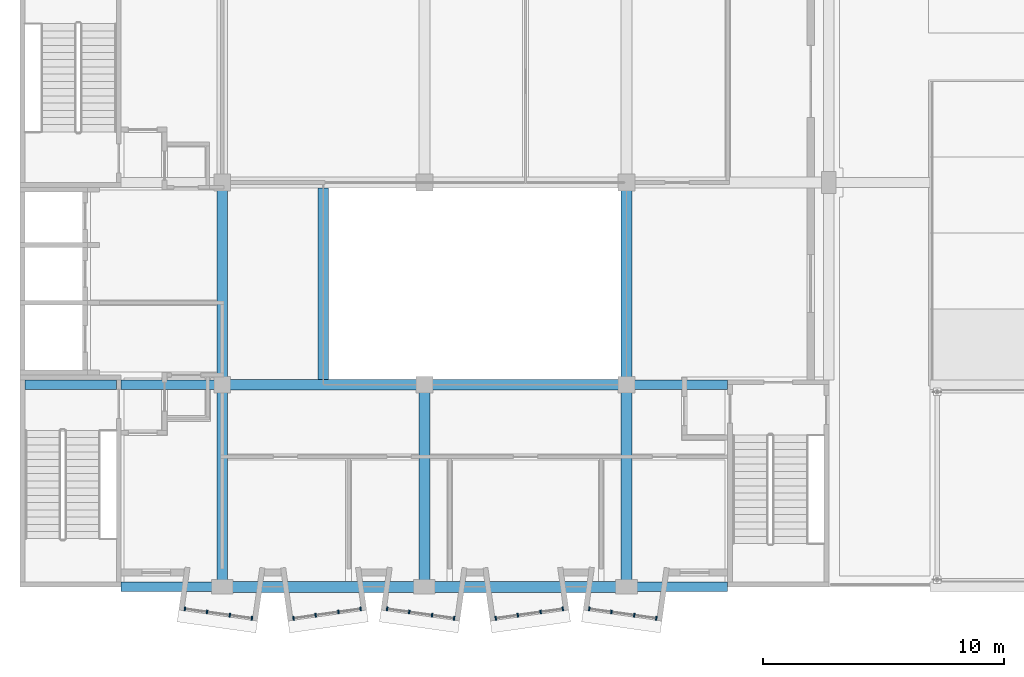
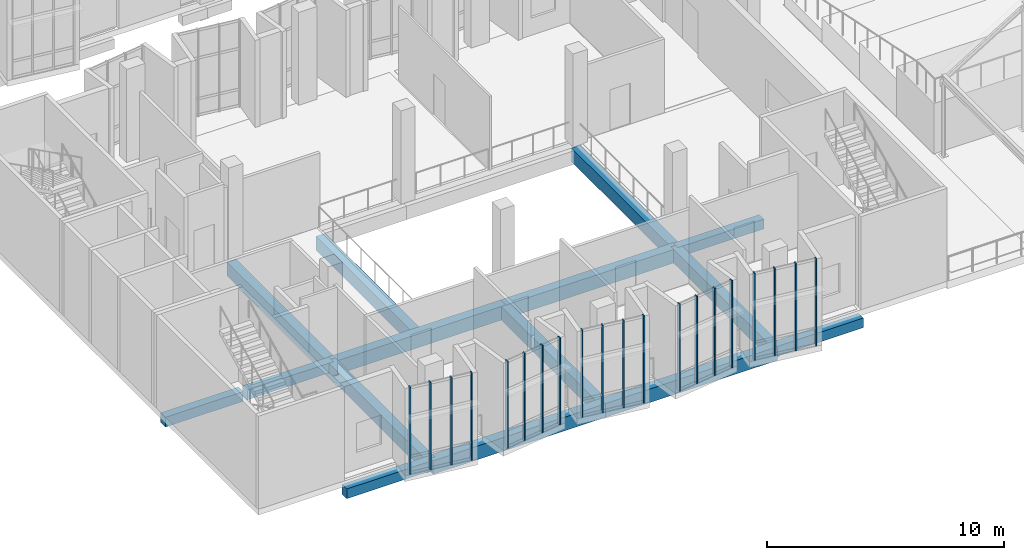
# One storey, part 3 of 67: 20 members, 15 beams, 5 elements without a shape of their own.
"""IFC4 building model written with IfcOpenShell, lengths in metres."""

from ifc_helpers import new_model, si_unit, direction, frame, origin, origin_2d, place, context, subcontext, project, spatial, rectangle, extrude, material, layer, layer_set, material_profile, profile_set, type_object, element, aggregate, save


model = new_model("IFC4")

# Units and contexts
model_context = context("Model", 3, precision=1e-05, world=origin(), true_north=direction((0.0, 1.0)))
body_context = subcontext(model_context, "Body", "Model", "MODEL_VIEW")
ifc_project = project(units=[si_unit("LENGTHUNIT", "METRE"), si_unit("AREAUNIT", "SQUARE_METRE"), si_unit("VOLUMEUNIT", "CUBIC_METRE"), si_unit("PLANEANGLEUNIT", "RADIAN"), si_unit("MASSUNIT", "GRAM", prefix="KILO")], contexts=[model_context])

# Site, building, storey
site_placement = place(None, origin())
site = spatial("IfcSite", under=ifc_project, at=site_placement, CompositionType="ELEMENT")
building_placement = place(site_placement, origin())
building = spatial("IfcBuilding", under=site, at=building_placement, Name="Kiln Court Media Centre", CompositionType="ELEMENT")
storey_placement = place(building_placement, frame((0.0, 0.0, 19.800048828125)))
storey = spatial("IfcBuildingStorey", under=building, at=storey_placement, Name="L04", CompositionType="ELEMENT", Elevation=19.800048828125)

# Curtain wall, members
ifc_material_1 = material(Name="Aluminium 6063-T6", Category="aluminium")
ifc_layer = layer(ifc_material_1, 0.1201171875)
ifc_layer_set = layer_set([ifc_layer], Name="Aluminium unitised bay curtain wall")
curtain_wall_type = type_object("IfcCurtainWallType", Name="Aluminium unitised bay curtain wall", PredefinedType="USERDEFINED", material=ifc_layer_set)
curtain_wall_1_placement = place(storey_placement, origin())
curtain_wall_1 = element("IfcCurtainWall", 1, at=curtain_wall_1_placement, inside=storey, type_object=curtain_wall_type, Name="BAY V6A-S-L04-25 front", ObjectType="UNITISED CURTAIN WALL", PredefinedType="USERDEFINED")
ifc_material_2 = material(Name="Aluminium 6063-T6", Category="aluminium")
ifc_material_profile_1 = material_profile(ifc_material_2, rectangle(XDim=0.06005859375, YDim=0.159912109375, at=origin_2d()), Name="Aluminium mullion 60x160")
ifc_profile_set_1 = profile_set([ifc_material_profile_1], Name="Aluminium 6063-T6")
member_type = type_object("IfcMemberType", Name="Aluminium mullion 60x160", PredefinedType="MULLION", material=ifc_profile_set_1)
member_1_placement = place(storey_placement, frame((6.852783203125, -0.91357421875, 0.0), z_axis=(0.0, 0.0, 1.0), x_axis=(0.990269562409, -0.139162472554, 0.0)))
member_1 = element("IfcMember", 2, at=member_1_placement, type_object=member_type, Name="CW4-08 mullion 1", PredefinedType="MULLION", context=body_context, shape_type="SweptSolid", body=[
    extrude(rectangle(XDim=0.06005859375, YDim=0.159912109375, at=origin_2d()), origin(), (0.0, 0.0, 1.0), 4.5),
])
member_2_placement = place(storey_placement, frame((7.7705078125, -1.04248046875, 0.0), z_axis=(0.0, 0.0, 1.0), x_axis=(0.990269562409, -0.139162472554, 0.0)))
member_2 = element("IfcMember", 3, at=member_2_placement, type_object=member_type, Name="CW4-08 mullion 2", PredefinedType="MULLION", context=body_context, shape_type="SweptSolid", body=[
    extrude(rectangle(XDim=0.06005859375, YDim=0.159912109375, at=origin_2d()), origin(), (0.0, 0.0, 1.0), 4.5),
])
member_3_placement = place(storey_placement, frame((8.7177734375, -1.17578125, 0.0), z_axis=(0.0, 0.0, 1.0), x_axis=(0.990269562409, -0.139162472554, 0.0)))
member_3 = element("IfcMember", 4, at=member_3_placement, type_object=member_type, Name="CW4-08 mullion 3", PredefinedType="MULLION", context=body_context, shape_type="SweptSolid", body=[
    extrude(rectangle(XDim=0.06005859375, YDim=0.159912109375, at=origin_2d()), origin(), (0.0, 0.0, 1.0), 4.5),
])
member_4_placement = place(storey_placement, frame((9.635498046875, -1.3046875, 0.0), z_axis=(0.0, 0.0, 1.0), x_axis=(0.990269562409, -0.139162472554, 0.0)))
member_4 = element("IfcMember", 5, at=member_4_placement, type_object=member_type, Name="CW4-08 mullion 4", PredefinedType="MULLION", context=body_context, shape_type="SweptSolid", body=[
    extrude(rectangle(XDim=0.06005859375, YDim=0.159912109375, at=origin_2d()), origin(), (0.0, 0.0, 1.0), 4.5),
])
aggregate(curtain_wall_1, [member_1, member_2, member_3, member_4])

curtain_wall_2_placement = place(storey_placement, origin())
curtain_wall_2 = element("IfcCurtainWall", 6, at=curtain_wall_2_placement, inside=storey, type_object=curtain_wall_type, Name="BAY V6A-S-L04-26 front", ObjectType="UNITISED CURTAIN WALL", PredefinedType="USERDEFINED")
member_5_placement = place(storey_placement, frame((11.364501953125, -1.3046875, 0.0), z_axis=(0.0, 0.0, 1.0), x_axis=(0.990269562409, 0.139162472554, 0.0)))
member_5 = element("IfcMember", 7, at=member_5_placement, type_object=member_type, Name="CW4-09 mullion 1", PredefinedType="MULLION", context=body_context, shape_type="SweptSolid", body=[
    extrude(rectangle(XDim=0.06005859375, YDim=0.159912109375, at=origin_2d()), origin(), (0.0, 0.0, 1.0), 4.5),
])
member_6_placement = place(storey_placement, frame((12.2822265625, -1.17578125, 0.0), z_axis=(0.0, 0.0, 1.0), x_axis=(0.990269562409, 0.139162472554, 0.0)))
member_6 = element("IfcMember", 8, at=member_6_placement, type_object=member_type, Name="CW4-09 mullion 2", PredefinedType="MULLION", context=body_context, shape_type="SweptSolid", body=[
    extrude(rectangle(XDim=0.06005859375, YDim=0.159912109375, at=origin_2d()), origin(), (0.0, 0.0, 1.0), 4.5),
])
member_7_placement = place(storey_placement, frame((13.2294921875, -1.04248046875, 0.0), z_axis=(0.0, 0.0, 1.0), x_axis=(0.990269562409, 0.139162472554, 0.0)))
member_7 = element("IfcMember", 9, at=member_7_placement, type_object=member_type, Name="CW4-09 mullion 3", PredefinedType="MULLION", context=body_context, shape_type="SweptSolid", body=[
    extrude(rectangle(XDim=0.06005859375, YDim=0.159912109375, at=origin_2d()), origin(), (0.0, 0.0, 1.0), 4.5),
])
member_8_placement = place(storey_placement, frame((14.147216796875, -0.91357421875, 0.0), z_axis=(0.0, 0.0, 1.0), x_axis=(0.990269562409, 0.139162472554, 0.0)))
member_8 = element("IfcMember", 10, at=member_8_placement, type_object=member_type, Name="CW4-09 mullion 4", PredefinedType="MULLION", context=body_context, shape_type="SweptSolid", body=[
    extrude(rectangle(XDim=0.06005859375, YDim=0.159912109375, at=origin_2d()), origin(), (0.0, 0.0, 1.0), 4.5),
])
aggregate(curtain_wall_2, [member_5, member_6, member_7, member_8])

curtain_wall_3_placement = place(storey_placement, origin())
curtain_wall_3 = element("IfcCurtainWall", 11, at=curtain_wall_3_placement, inside=storey, type_object=curtain_wall_type, Name="BAY V6A-S-L04-27 front", ObjectType="UNITISED CURTAIN WALL", PredefinedType="USERDEFINED")
member_9_placement = place(storey_placement, frame((15.2529296875, -0.91357421875, 0.0), z_axis=(0.0, 0.0, 1.0), x_axis=(0.990269562409, -0.139162472554, 0.0)))
member_9 = element("IfcMember", 12, at=member_9_placement, type_object=member_type, Name="CW4-10 mullion 1", PredefinedType="MULLION", context=body_context, shape_type="SweptSolid", body=[
    extrude(rectangle(XDim=0.06005859375, YDim=0.159912109375, at=origin_2d()), origin(), (0.0, 0.0, 1.0), 4.5),
])
member_10_placement = place(storey_placement, frame((16.17041015625, -1.04248046875, 0.0), z_axis=(0.0, 0.0, 1.0), x_axis=(0.990269562409, -0.139162472554, 0.0)))
member_10 = element("IfcMember", 13, at=member_10_placement, type_object=member_type, Name="CW4-10 mullion 2", PredefinedType="MULLION", context=body_context, shape_type="SweptSolid", body=[
    extrude(rectangle(XDim=0.06005859375, YDim=0.159912109375, at=origin_2d()), origin(), (0.0, 0.0, 1.0), 4.5),
])
member_11_placement = place(storey_placement, frame((17.117919921875, -1.17578125, 0.0), z_axis=(0.0, 0.0, 1.0), x_axis=(0.990269562409, -0.139162472554, 0.0)))
member_11 = element("IfcMember", 14, at=member_11_placement, type_object=member_type, Name="CW4-10 mullion 3", PredefinedType="MULLION", context=body_context, shape_type="SweptSolid", body=[
    extrude(rectangle(XDim=0.06005859375, YDim=0.159912109375, at=origin_2d()), origin(), (0.0, 0.0, 1.0), 4.5),
])
member_12_placement = place(storey_placement, frame((18.035400390625, -1.3046875, 0.0), z_axis=(0.0, 0.0, 1.0), x_axis=(0.990269562409, -0.139162472554, 0.0)))
member_12 = element("IfcMember", 15, at=member_12_placement, type_object=member_type, Name="CW4-10 mullion 4", PredefinedType="MULLION", context=body_context, shape_type="SweptSolid", body=[
    extrude(rectangle(XDim=0.06005859375, YDim=0.159912109375, at=origin_2d()), origin(), (0.0, 0.0, 1.0), 4.5),
])
aggregate(curtain_wall_3, [member_9, member_10, member_11, member_12])

curtain_wall_4_placement = place(storey_placement, origin())
curtain_wall_4 = element("IfcCurtainWall", 16, at=curtain_wall_4_placement, inside=storey, type_object=curtain_wall_type, Name="BAY V6A-S-L04-28 front", ObjectType="UNITISED CURTAIN WALL", PredefinedType="USERDEFINED")
member_13_placement = place(storey_placement, frame((19.764404296875, -1.3046875, 0.0), z_axis=(0.0, 0.0, 1.0), x_axis=(0.990269562409, 0.139162472554, 0.0)))
member_13 = element("IfcMember", 17, at=member_13_placement, type_object=member_type, Name="CW4-11 mullion 1", PredefinedType="MULLION", context=body_context, shape_type="SweptSolid", body=[
    extrude(rectangle(XDim=0.06005859375, YDim=0.159912109375, at=origin_2d()), origin(), (0.0, 0.0, 1.0), 4.5),
])
member_14_placement = place(storey_placement, frame((20.68212890625, -1.17578125, 0.0), z_axis=(0.0, 0.0, 1.0), x_axis=(0.990269562409, 0.139162472554, 0.0)))
member_14 = element("IfcMember", 18, at=member_14_placement, type_object=member_type, Name="CW4-11 mullion 2", PredefinedType="MULLION", context=body_context, shape_type="SweptSolid", body=[
    extrude(rectangle(XDim=0.06005859375, YDim=0.159912109375, at=origin_2d()), origin(), (0.0, 0.0, 1.0), 4.5),
])
member_15_placement = place(storey_placement, frame((21.629638671875, -1.04248046875, 0.0), z_axis=(0.0, 0.0, 1.0), x_axis=(0.990269562409, 0.139162472554, 0.0)))
member_15 = element("IfcMember", 19, at=member_15_placement, type_object=member_type, Name="CW4-11 mullion 3", PredefinedType="MULLION", context=body_context, shape_type="SweptSolid", body=[
    extrude(rectangle(XDim=0.06005859375, YDim=0.159912109375, at=origin_2d()), origin(), (0.0, 0.0, 1.0), 4.5),
])
member_16_placement = place(storey_placement, frame((22.547119140625, -0.91357421875, 0.0), z_axis=(0.0, 0.0, 1.0), x_axis=(0.990269562409, 0.139162472554, 0.0)))
member_16 = element("IfcMember", 20, at=member_16_placement, type_object=member_type, Name="CW4-11 mullion 4", PredefinedType="MULLION", context=body_context, shape_type="SweptSolid", body=[
    extrude(rectangle(XDim=0.06005859375, YDim=0.159912109375, at=origin_2d()), origin(), (0.0, 0.0, 1.0), 4.5),
])
aggregate(curtain_wall_4, [member_13, member_14, member_15, member_16])

curtain_wall_5_placement = place(storey_placement, origin())
curtain_wall_5 = element("IfcCurtainWall", 21, at=curtain_wall_5_placement, inside=storey, type_object=curtain_wall_type, Name="BAY V6A-S-L04-29 front", ObjectType="UNITISED CURTAIN WALL", PredefinedType="USERDEFINED")
member_17_placement = place(storey_placement, frame((23.65283203125, -0.91357421875, 0.0), z_axis=(0.0, 0.0, 1.0), x_axis=(0.990269562409, -0.139162472554, 0.0)))
member_17 = element("IfcMember", 22, at=member_17_placement, type_object=member_type, Name="CW4-12 mullion 1", PredefinedType="MULLION", context=body_context, shape_type="SweptSolid", body=[
    extrude(rectangle(XDim=0.06005859375, YDim=0.159912109375, at=origin_2d()), origin(), (0.0, 0.0, 1.0), 4.5),
])
member_18_placement = place(storey_placement, frame((24.570556640625, -1.04248046875, 0.0), z_axis=(0.0, 0.0, 1.0), x_axis=(0.990269562409, -0.139162472554, 0.0)))
member_18 = element("IfcMember", 23, at=member_18_placement, type_object=member_type, Name="CW4-12 mullion 2", PredefinedType="MULLION", context=body_context, shape_type="SweptSolid", body=[
    extrude(rectangle(XDim=0.06005859375, YDim=0.159912109375, at=origin_2d()), origin(), (0.0, 0.0, 1.0), 4.5),
])
member_19_placement = place(storey_placement, frame((25.517822265625, -1.17578125, 0.0), z_axis=(0.0, 0.0, 1.0), x_axis=(0.990269562409, -0.139162472554, 0.0)))
member_19 = element("IfcMember", 24, at=member_19_placement, type_object=member_type, Name="CW4-12 mullion 3", PredefinedType="MULLION", context=body_context, shape_type="SweptSolid", body=[
    extrude(rectangle(XDim=0.06005859375, YDim=0.159912109375, at=origin_2d()), origin(), (0.0, 0.0, 1.0), 4.5),
])
member_20_placement = place(storey_placement, frame((26.435546875, -1.3046875, 0.0), z_axis=(0.0, 0.0, 1.0), x_axis=(0.990269562409, -0.139162472554, 0.0)))
member_20 = element("IfcMember", 25, at=member_20_placement, type_object=member_type, Name="CW4-12 mullion 4", PredefinedType="MULLION", context=body_context, shape_type="SweptSolid", body=[
    extrude(rectangle(XDim=0.06005859375, YDim=0.159912109375, at=origin_2d()), origin(), (0.0, 0.0, 1.0), 4.5),
])
aggregate(curtain_wall_5, [member_17, member_18, member_19, member_20])

# Beams
ifc_material_3 = material(Name="Concrete C30/37", Category="concrete")
ifc_material_profile_2 = material_profile(ifc_material_3, rectangle(XDim=0.39990234375, YDim=0.5, at=origin_2d()), Name="RC 400x500")
ifc_profile_set_2 = profile_set([ifc_material_profile_2], Name="Concrete C30/37")
beam_type_1 = type_object("IfcBeamType", Name="Concrete C30/37 beam 400x500", PredefinedType="BEAM", material=ifc_profile_set_2)
for number, where, z_axis, x_axis, name in (
    (26, (4.199951171875, 0.0, -0.550048828125), (1.0, 0.0, 0.0), (0.0, 1.0, 0.0), "L04-B-1022"),
    (27, (25.199951171875, 0.0, -0.550048828125), (1.0, 0.0, 0.0), (0.0, 1.0, 0.0), "L04-B-1025"),
):
    element("IfcBeam", number, at=place(storey_placement, frame(where, z_axis=z_axis, x_axis=x_axis)), inside=storey, type_object=beam_type_1, Name=name, PredefinedType="BEAM", context=body_context, shape_type="SweptSolid", body=[
        extrude(rectangle(XDim=0.39990234375, YDim=0.5, at=origin_2d()), origin(), (0.0, 0.0, 1.0), 4.199951171875),
    ])
beam_1_placement = place(storey_placement, frame((0.199951171875, 8.39990234375, -0.550048828125), z_axis=(1.0, 0.0, 0.0), x_axis=(0.0, 1.0, 0.0)))
element("IfcBeam", 28, at=beam_1_placement, inside=storey, type_object=beam_type_1, Name="L04-B-1026", PredefinedType="BEAM", context=body_context, shape_type="SweptSolid", body=[
    extrude(rectangle(XDim=0.39990234375, YDim=0.5, at=origin_2d()), origin(), (0.0, 0.0, 1.0), 3.800048828125),
])
for number, where, z_axis, x_axis, name in (
    (29, (4.199951171875, 8.39990234375, -0.550048828125), (1.0, 0.0, 0.0), (0.0, 1.0, 0.0), "L04-B-1027"),
    (30, (25.199951171875, 8.39990234375, -0.550048828125), (1.0, 0.0, 0.0), (0.0, 1.0, 0.0), "L04-B-1030"),
):
    element("IfcBeam", number, at=place(storey_placement, frame(where, z_axis=z_axis, x_axis=x_axis)), inside=storey, type_object=beam_type_1, Name=name, PredefinedType="BEAM", context=body_context, shape_type="SweptSolid", body=[
        extrude(rectangle(XDim=0.39990234375, YDim=0.5, at=origin_2d()), origin(), (0.0, 0.0, 1.0), 4.199951171875),
    ])
ifc_material_4 = material(Name="Concrete C30/37", Category="concrete")
ifc_material_profile_3 = material_profile(ifc_material_4, rectangle(XDim=0.449951171875, YDim=0.699951171875, at=origin_2d()), Name="RC 450x700")
ifc_profile_set_3 = profile_set([ifc_material_profile_3], Name="Concrete C30/37")
beam_type_2 = type_object("IfcBeamType", Name="Concrete C30/37 beam 450x700", PredefinedType="BEAM", material=ifc_profile_set_3)
beam_2_placement = place(storey_placement, frame((8.39990234375, 0.0, -0.650146484375), z_axis=(0.0, 1.0, 0.0), x_axis=(-1.0, 0.0, 0.0)))
element("IfcBeam", 31, at=beam_2_placement, inside=storey, type_object=beam_type_2, Name="L04-B-1012", PredefinedType="BEAM", context=body_context, shape_type="SweptSolid", body=[
    extrude(rectangle(XDim=0.449951171875, YDim=0.699951171875, at=origin_2d()), origin(), (0.0, 0.0, 1.0), 8.39990234375),
])
beam_3_placement = place(storey_placement, frame((8.39990234375, 8.39990234375, -0.650146484375), z_axis=(0.0, 1.0, 0.0), x_axis=(-1.0, 0.0, 0.0)))
element("IfcBeam", 32, at=beam_3_placement, inside=storey, type_object=beam_type_2, Name="L04-B-1013", PredefinedType="BEAM", context=body_context, shape_type="SweptSolid", body=[
    extrude(rectangle(XDim=0.449951171875, YDim=0.699951171875, at=origin_2d()), origin(), (0.0, 0.0, 1.0), 8.400146484375),
])
for number, where, z_axis, x_axis, name in (
    (33, (16.800048828125, 0.0, -0.650146484375), (0.0, 1.0, 0.0), (-1.0, 0.0, 0.0), "L04-B-1015"),
    (34, (25.199951171875, 0.0, -0.650146484375), (0.0, 1.0, 0.0), (-1.0, 0.0, 0.0), "L04-B-1017"),
):
    element("IfcBeam", number, at=place(storey_placement, frame(where, z_axis=z_axis, x_axis=x_axis)), inside=storey, type_object=beam_type_2, Name=name, PredefinedType="BEAM", context=body_context, shape_type="SweptSolid", body=[
        extrude(rectangle(XDim=0.449951171875, YDim=0.699951171875, at=origin_2d()), origin(), (0.0, 0.0, 1.0), 8.39990234375),
    ])
for number, where, z_axis, x_axis, name in (
    (35, (25.199951171875, 8.39990234375, -0.650146484375), (0.0, 1.0, 0.0), (-1.0, 0.0, 0.0), "L04-B-1018"),
    (36, (8.39990234375, 0.0, -0.650146484375), (1.0, 0.0, 0.0), (0.0, 1.0, 0.0), "L04-B-1023"),
):
    element("IfcBeam", number, at=place(storey_placement, frame(where, z_axis=z_axis, x_axis=x_axis)), inside=storey, type_object=beam_type_2, Name=name, PredefinedType="BEAM", context=body_context, shape_type="SweptSolid", body=[
        extrude(rectangle(XDim=0.449951171875, YDim=0.699951171875, at=origin_2d()), origin(), (0.0, 0.0, 1.0), 8.400146484375),
    ])
beam_4_placement = place(storey_placement, frame((16.800048828125, 0.0, -0.650146484375), z_axis=(1.0, 0.0, 0.0), x_axis=(0.0, 1.0, 0.0)))
element("IfcBeam", 37, at=beam_4_placement, inside=storey, type_object=beam_type_2, Name="L04-B-1024", PredefinedType="BEAM", context=body_context, shape_type="SweptSolid", body=[
    extrude(rectangle(XDim=0.449951171875, YDim=0.699951171875, at=origin_2d()), origin(), (0.0, 0.0, 1.0), 8.39990234375),
])
beam_5_placement = place(storey_placement, frame((8.39990234375, 8.39990234375, -0.650146484375), z_axis=(1.0, 0.0, 0.0), x_axis=(0.0, 1.0, 0.0)))
element("IfcBeam", 38, at=beam_5_placement, inside=storey, type_object=beam_type_2, Name="L04-B-1028", PredefinedType="BEAM", context=body_context, shape_type="SweptSolid", body=[
    extrude(rectangle(XDim=0.449951171875, YDim=0.699951171875, at=origin_2d()), origin(), (0.0, 0.0, 1.0), 8.400146484375),
])
beam_6_placement = place(storey_placement, frame((16.800048828125, 8.39990234375, -0.650146484375), z_axis=(1.0, 0.0, 0.0), x_axis=(0.0, 1.0, 0.0)))
element("IfcBeam", 39, at=beam_6_placement, inside=storey, type_object=beam_type_2, Name="L04-B-1029", PredefinedType="BEAM", context=body_context, shape_type="SweptSolid", body=[
    extrude(rectangle(XDim=0.449951171875, YDim=0.699951171875, at=origin_2d()), origin(), (0.0, 0.0, 1.0), 8.39990234375),
])
beam_7_placement = place(storey_placement, frame((12.60009765625, 16.574951171875, -0.650146484375), z_axis=(0.0, -1.0, 0.0), x_axis=(1.0, 0.0, 0.0)))
element("IfcBeam", 40, at=beam_7_placement, inside=storey, type_object=beam_type_2, Name="L04-B-1039", PredefinedType="BEAM", context=body_context, shape_type="SweptSolid", body=[
    extrude(rectangle(XDim=0.449951171875, YDim=0.699951171875, at=origin_2d()), origin(), (0.0, 0.0, 1.0), 7.949951171875),
])

save(model, "model.ifc")
